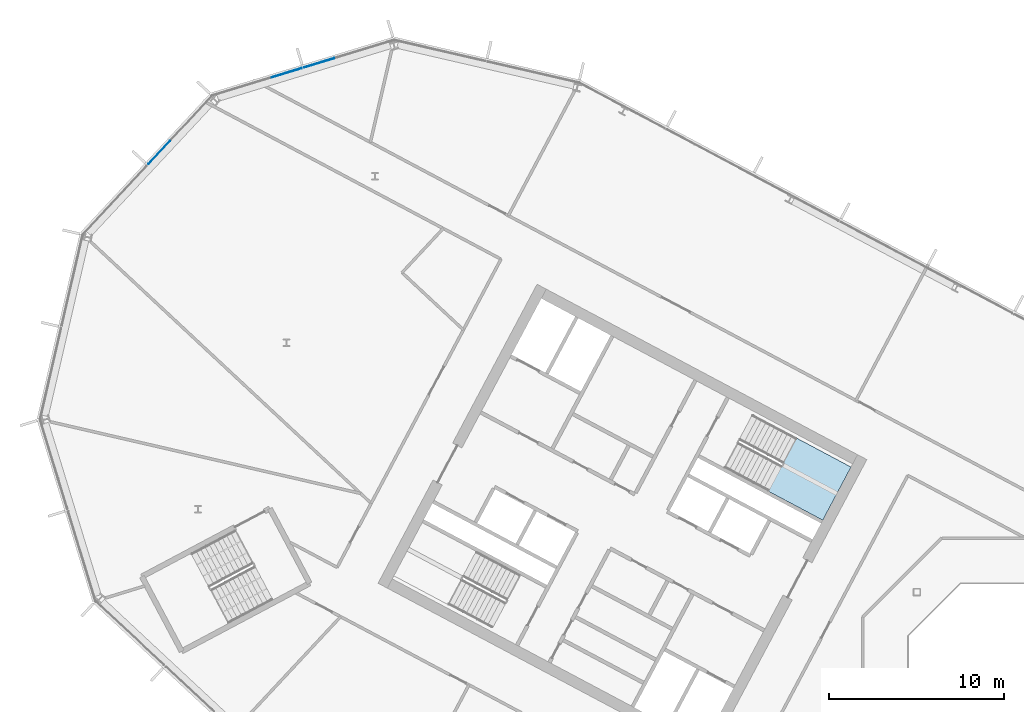
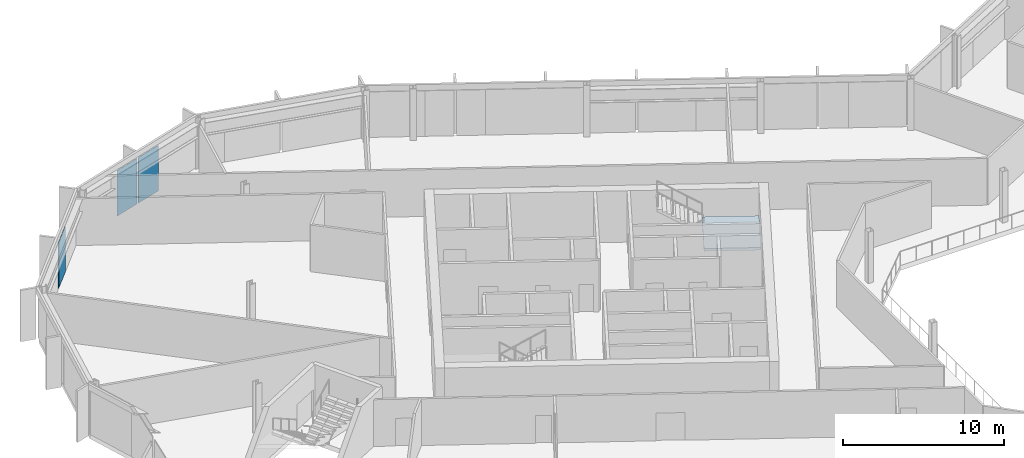
# One storey, part 11 of 27: 3 plates, 1 slab, 3 elements without a shape of their own.
"""IFC4 building model written with IfcOpenShell, lengths in metres."""

from ifc_helpers import new_model, si_unit, direction, frame, origin, origin_2d, place, context, subcontext, project, spatial, polyline, rectangle, outline, extrude, material, layer, layer_set, type_object, element, aggregate, save


model = new_model("IFC4")

# Units and contexts
model_context = context("Model", 3, precision=1e-05, world=origin(), true_north=direction((0.0, 1.0)))
body_context = subcontext(model_context, "Body", "Model", "MODEL_VIEW")
ifc_project = project(units=[si_unit("LENGTHUNIT", "METRE"), si_unit("AREAUNIT", "SQUARE_METRE"), si_unit("VOLUMEUNIT", "CUBIC_METRE"), si_unit("PLANEANGLEUNIT", "RADIAN"), si_unit("MASSUNIT", "GRAM", prefix="KILO")], contexts=[model_context])

# Site, building, storey
site_placement = place(None, origin())
site = spatial("IfcSite", under=ifc_project, at=site_placement, CompositionType="ELEMENT")
building_placement = place(site_placement, origin())
building = spatial("IfcBuilding", under=site, at=building_placement, Name="Cormorant Relay Tower", CompositionType="ELEMENT")
storey_placement = place(building_placement, frame((0.0, 0.0, 240.300048828125)))
storey = spatial("IfcBuildingStorey", under=building, at=storey_placement, Name="L53", CompositionType="ELEMENT", Elevation=240.300048828125)

# Curtain wall, plates
ifc_material_1 = material(Name="Aluminium 6063-T6 anodised bronze", Category="aluminium")
ifc_layer_1 = layer(ifc_material_1, 0.199951171875)
ifc_layer_set_1 = layer_set([ifc_layer_1], Name="CW1 unitised bronze curtain wall with vertical fins")
curtain_wall_type = type_object("IfcCurtainWallType", Name="CW1 unitised bronze curtain wall with vertical fins", PredefinedType="NOTDEFINED", material=ifc_layer_set_1)
curtain_wall_1_placement = place(storey_placement, origin())
curtain_wall_1 = element("IfcCurtainWall", 1, at=curtain_wall_1_placement, inside=storey, type_object=curtain_wall_type, Name="CW1 curtain wall 11", PredefinedType="NOTDEFINED")
ifc_material_2 = material(Name="Tinted laminated glass", Category="glass")
ifc_layer_2 = layer(ifc_material_2, 0.0400390625)
ifc_layer_set_2 = layer_set([ifc_layer_2], Name="CW1 tinted vision panel 1800 module")
plate_type = type_object("IfcPlateType", Name="CW1 tinted vision panel 1800 module", PredefinedType="CURTAIN_PANEL", material=ifc_layer_set_2)
plate_1_placement = place(storey_placement, frame((-44.73681640625, 40.82861328125, 0.0), z_axis=(0.0, 0.0, 1.0), x_axis=(-0.956304755963, -0.292371704723, 0.0)))
plate_1 = element("IfcPlate", 2, at=plate_1_placement, type_object=plate_type, Name="CW1 panel V01", PredefinedType="CURTAIN_PANEL", context=body_context, shape_type="SweptSolid", body=[
    extrude(rectangle(XDim=1.800048828125, YDim=0.0400390625, at=origin_2d()), origin(), (0.0, 0.0, 1.0), 3.449951171875),
])
plate_2_placement = place(storey_placement, frame((-46.6015625, 40.25830078125, 0.0), z_axis=(0.0, 0.0, 1.0), x_axis=(-0.956304755963, -0.292371704723, 0.0)))
plate_2 = element("IfcPlate", 3, at=plate_2_placement, type_object=plate_type, Name="CW1 panel V02", PredefinedType="CURTAIN_PANEL", context=body_context, shape_type="SweptSolid", body=[
    extrude(rectangle(XDim=1.800048828125, YDim=0.0400390625, at=origin_2d()), origin(), (0.0, 0.0, 1.0), 3.449951171875),
])
aggregate(curtain_wall_1, [plate_1, plate_2])

# Curtain wall, plate
curtain_wall_2_placement = place(storey_placement, origin())
curtain_wall_2 = element("IfcCurtainWall", 4, at=curtain_wall_2_placement, inside=storey, type_object=curtain_wall_type, Name="CW1 curtain wall 12", PredefinedType="NOTDEFINED")
plate_3_placement = place(storey_placement, frame((-53.91748046875, 35.68701171875, 0.0), z_axis=(0.0, 0.0, 1.0), x_axis=(-0.681998360062, -0.731353701619, 0.0)))
plate_3 = element("IfcPlate", 5, at=plate_3_placement, type_object=plate_type, Name="CW1 panel V01", PredefinedType="CURTAIN_PANEL", context=body_context, shape_type="SweptSolid", body=[
    extrude(rectangle(XDim=1.800048828125, YDim=0.0400390625, at=origin_2d()), origin(), (0.0, 0.0, 1.0), 3.449951171875),
])
aggregate(curtain_wall_2, [plate_3])

# Stair, slab
ifc_material_3 = material(Name="Concrete 40 MPa", Category="concrete")
stair_type = type_object("IfcStairType", Name="Exit stair 1500", PredefinedType="HALF_TURN_STAIR", material=ifc_material_3)
stair_placement = place(storey_placement, origin())
stair = element("IfcStair", 6, at=stair_placement, inside=storey, type_object=stair_type, Name="L53 Stair", PredefinedType="HALF_TURN_STAIR")
ifc_material_4 = material(Name="Concrete 40 MPa", Category="concrete")
ifc_layer_3 = layer(ifc_material_4, 0.199951171875)
ifc_layer_set_3 = layer_set([ifc_layer_3], Name="Exit stair landing 200")
slab_type = type_object("IfcSlabType", Name="Exit stair landing 200", PredefinedType="LANDING", material=ifc_layer_set_3)
slab_placement = place(storey_placement, frame((0.0, 0.0, 1.75)))
slab = element("IfcSlab", 7, at=slab_placement, type_object=slab_type, Name="A1 landing 1", PredefinedType="LANDING", context=body_context, shape_type="SweptSolid", body=[
    extrude(outline(polyline([(-19.029541015625, 16.29052734375), (-15.89501953125, 14.6240234375), (-14.275390625, 17.670166015625), (-17.40966796875, 19.3369140625), (-19.029541015625, 16.29052734375)])), origin(), (0.0, 0.0, 1.0), 0.199951171875),
])
aggregate(stair, [slab])

save(model, "model.ifc")
